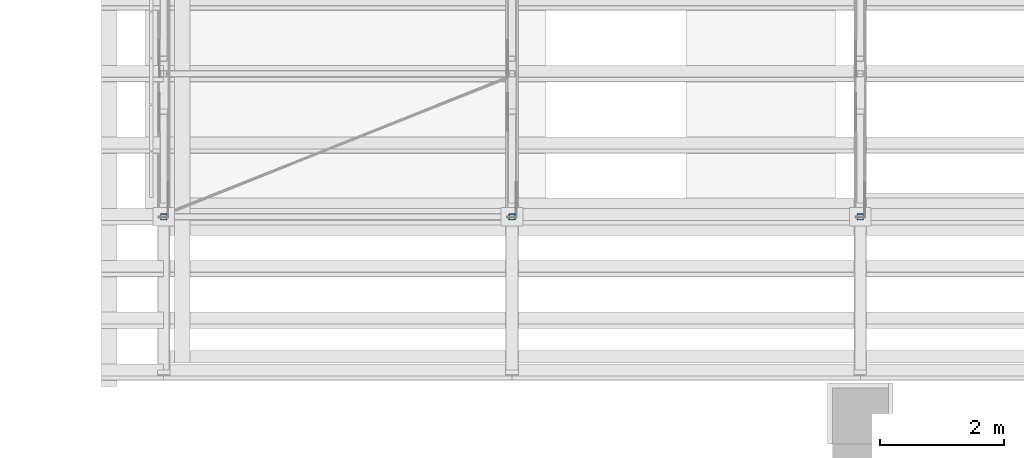
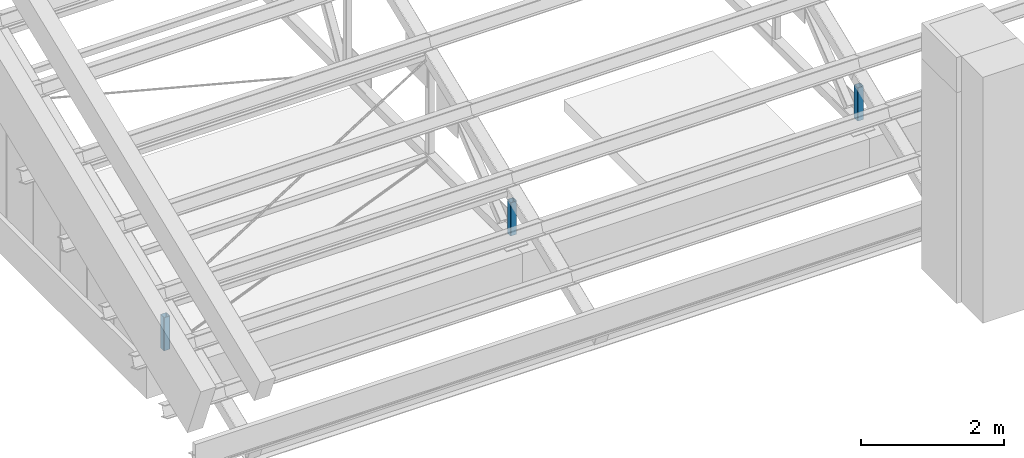
# One storey, part 29 of 71: 3 members.
"""IFC4 building model written with IfcOpenShell, lengths in metres."""

from ifc_helpers import new_model, si_unit, direction, frame, origin, origin_2d, place, context, subcontext, project, spatial, hollow_rectangle, extrude, material, material_profile, profile_set, type_object, element, save


model = new_model("IFC4")

# Units and contexts
model_context = context("Model", 3, precision=1e-05, world=origin(), true_north=direction((0.0, 1.0)))
body_context = subcontext(model_context, "Body", "Model", "MODEL_VIEW")
ifc_project = project(units=[si_unit("LENGTHUNIT", "METRE"), si_unit("AREAUNIT", "SQUARE_METRE"), si_unit("VOLUMEUNIT", "CUBIC_METRE"), si_unit("PLANEANGLEUNIT", "RADIAN"), si_unit("MASSUNIT", "GRAM", prefix="KILO")], contexts=[model_context])

# Site, building, storey
site_placement = place(None, origin())
site = spatial("IfcSite", under=ifc_project, at=site_placement, CompositionType="ELEMENT")
building_placement = place(site_placement, origin())
building = spatial("IfcBuilding", under=site, at=building_placement, Name="Wasatch Bagh Community Centre", CompositionType="ELEMENT")
storey_placement = place(building_placement, frame((0.0, 0.0, 12.60009765625)))
storey = spatial("IfcBuildingStorey", under=building, at=storey_placement, Name="L03", CompositionType="ELEMENT", Elevation=12.60009765625)

# Members
ifc_material = material(Name="ASTM A500 Grade C steel", Category="steel")
ifc_material_profile = material_profile(ifc_material, hollow_rectangle(XDim=0.1015625, YDim=0.1015625, WallThickness=0.005859375, InnerFilletRadius=0.005859375, OuterFilletRadius=0.01171875, at=origin_2d()), Name="HSS4x4x1/4")
ifc_profile_set = profile_set([ifc_material_profile], Name="ASTM A500 Grade C steel")
member_type = type_object("IfcMemberType", Name="SH HSS4x4x1/4 post", PredefinedType="POST", material=ifc_profile_set)
for number, where, z_axis, x_axis, name in (
    (1, (112.199951171875, 38.199951171875, 0.76220703125), (0.0, 0.0, 1.0), (1.0, 0.0, 0.0), "SH.SA1.PS01"),
    (2, (117.800048828125, 38.199951171875, 0.76220703125), (0.0, 0.0, 1.0), (1.0, 0.0, 0.0), "SH.SA2.PS01"),
    (3, (123.39990234375, 38.199951171875, 0.76220703125), (0.0, 0.0, 1.0), (1.0, 0.0, 0.0), "SH.SA3.PS01"),
):
    element("IfcMember", number, at=place(storey_placement, frame(where, z_axis=z_axis, x_axis=x_axis)), inside=storey, type_object=member_type, Name=name, PredefinedType="POST", context=body_context, shape_type="SweptSolid", body=[
        extrude(hollow_rectangle(XDim=0.1015625, YDim=0.1015625, WallThickness=0.005859375, InnerFilletRadius=0.005859375, OuterFilletRadius=0.01171875, at=origin_2d()), origin(), (0.0, 0.0, 1.0), 0.5673828125),
    ])

save(model, "model.ifc")
